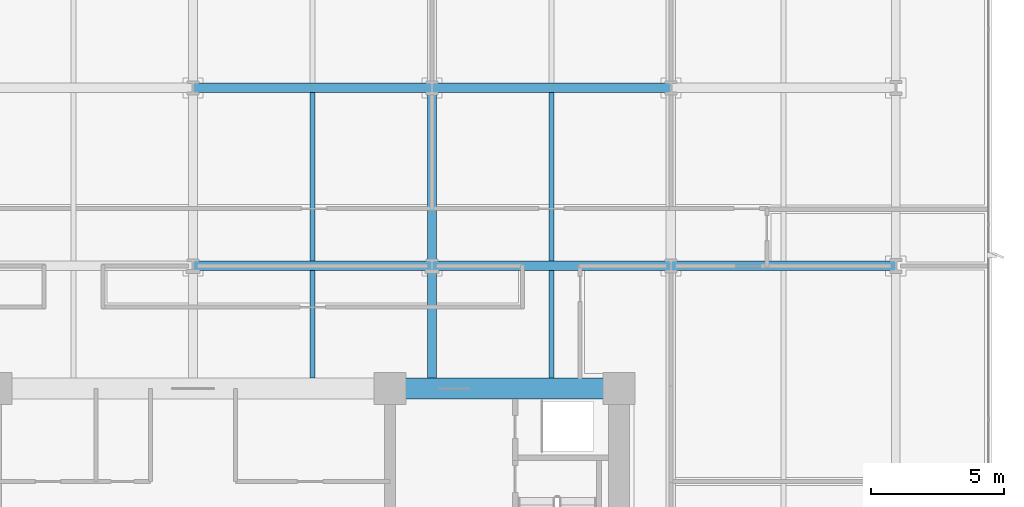
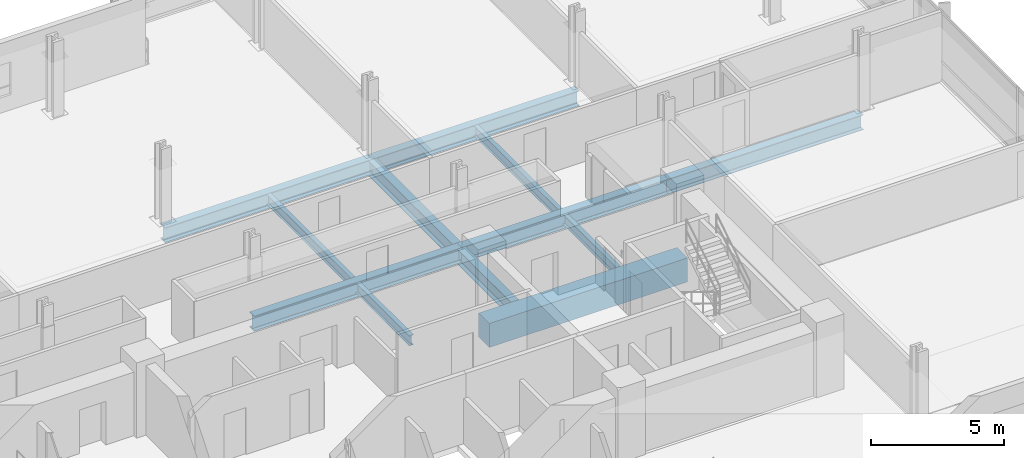
# One storey, part 7 of 20: 12 beams.
"""IFC4 building model written with IfcOpenShell, lengths in metres."""

from ifc_helpers import new_model, si_unit, direction, frame, origin, origin_2d, place, context, subcontext, project, spatial, rectangle, i_section, extrude, material, material_profile, profile_set, type_object, element, save


model = new_model("IFC4")

# Units and contexts
model_context = context("Model", 3, precision=1e-05, world=origin(), true_north=direction((0.0, 1.0)))
body_context = subcontext(model_context, "Body", "Model", "MODEL_VIEW")
ifc_project = project(units=[si_unit("LENGTHUNIT", "METRE"), si_unit("AREAUNIT", "SQUARE_METRE"), si_unit("VOLUMEUNIT", "CUBIC_METRE"), si_unit("PLANEANGLEUNIT", "RADIAN"), si_unit("MASSUNIT", "GRAM", prefix="KILO")], contexts=[model_context])

# Site, building, storey
site_placement = place(None, origin())
site = spatial("IfcSite", under=ifc_project, at=site_placement, CompositionType="ELEMENT")
building_placement = place(site_placement, origin())
building = spatial("IfcBuilding", under=site, at=building_placement, Name="Solmavex Isthmus Hotel", CompositionType="ELEMENT")
storey_placement = place(building_placement, frame((0.0, 0.0, 57.449951171875)))
storey = spatial("IfcBuildingStorey", under=building, at=storey_placement, Name="L15", CompositionType="ELEMENT", Elevation=57.449951171875)

# Beams
ifc_material_1 = material(Name="Steel ASTM A992 Grade 50", Category="steel")
ifc_material_profile_1 = material_profile(ifc_material_1, i_section(OverallWidth=0.354736328125, OverallDepth=0.695556640625, WebThickness=0.015380859375, FlangeThickness=0.02490234375, FilletRadius=0.017822265625, at=origin_2d()), Name="W27X146")
ifc_profile_set_1 = profile_set([ifc_material_profile_1], Name="Steel ASTM A992 Grade 50")
beam_type_1 = type_object("IfcBeamType", Name="BM-BG-W27X146", PredefinedType="BEAM", material=ifc_profile_set_1)
beam_1_placement = place(storey_placement, frame((0.0, 2.10009765625, -0.607666015625), z_axis=(1.0, 0.0, 0.0), x_axis=(0.0, 1.0, 0.0)))
element("IfcBeam", 1, at=beam_1_placement, inside=storey, type_object=beam_type_1, Name="Floor Girder L15-UG10", PredefinedType="BEAM", context=body_context, shape_type="SweptSolid", body=[
    extrude(i_section(OverallWidth=0.354736328125, OverallDepth=0.695556640625, WebThickness=0.015380859375, FlangeThickness=0.02490234375, FilletRadius=0.017822265625, at=origin_2d()), origin(), (0.0, 0.0, 1.0), 8.97607421875),
])
beam_2_placement = place(storey_placement, frame((8.97607421875, 2.10009765625, -0.607666015625), z_axis=(1.0, 0.0, 0.0), x_axis=(0.0, 1.0, 0.0)))
element("IfcBeam", 2, at=beam_2_placement, inside=storey, type_object=beam_type_1, Name="Floor Girder L15-UG11", PredefinedType="BEAM", context=body_context, shape_type="SweptSolid", body=[
    extrude(i_section(OverallWidth=0.354736328125, OverallDepth=0.695556640625, WebThickness=0.015380859375, FlangeThickness=0.02490234375, FilletRadius=0.017822265625, at=origin_2d()), origin(), (0.0, 0.0, 1.0), 8.975830078125),
])
beam_3_placement = place(storey_placement, frame((17.951904296875, 2.10009765625, -0.607666015625), z_axis=(1.0, 0.0, 0.0), x_axis=(0.0, 1.0, 0.0)))
element("IfcBeam", 3, at=beam_3_placement, inside=storey, type_object=beam_type_1, Name="Floor Girder L15-UG12", PredefinedType="BEAM", context=body_context, shape_type="SweptSolid", body=[
    extrude(i_section(OverallWidth=0.354736328125, OverallDepth=0.695556640625, WebThickness=0.015380859375, FlangeThickness=0.02490234375, FilletRadius=0.017822265625, at=origin_2d()), origin(), (0.0, 0.0, 1.0), 8.447998046875),
])
beam_4_placement = place(storey_placement, frame((0.0, 8.7880859375, -0.607666015625), z_axis=(1.0, 0.0, 0.0), x_axis=(0.0, 1.0, 0.0)))
element("IfcBeam", 4, at=beam_4_placement, inside=storey, type_object=beam_type_1, Name="Floor Girder L15-UG16", PredefinedType="BEAM", context=body_context, shape_type="SweptSolid", body=[
    extrude(i_section(OverallWidth=0.354736328125, OverallDepth=0.695556640625, WebThickness=0.015380859375, FlangeThickness=0.02490234375, FilletRadius=0.017822265625, at=origin_2d()), origin(), (0.0, 0.0, 1.0), 8.97607421875),
])
beam_5_placement = place(storey_placement, frame((8.97607421875, 8.7880859375, -0.607666015625), z_axis=(1.0, 0.0, 0.0), x_axis=(0.0, 1.0, 0.0)))
element("IfcBeam", 5, at=beam_5_placement, inside=storey, type_object=beam_type_1, Name="Floor Girder L15-UG17", PredefinedType="BEAM", context=body_context, shape_type="SweptSolid", body=[
    extrude(i_section(OverallWidth=0.354736328125, OverallDepth=0.695556640625, WebThickness=0.015380859375, FlangeThickness=0.02490234375, FilletRadius=0.017822265625, at=origin_2d()), origin(), (0.0, 0.0, 1.0), 8.975830078125),
])
beam_6_placement = place(storey_placement, frame((8.97607421875, -2.10009765625, -0.607666015625), z_axis=(0.0, 1.0, 0.0), x_axis=(-1.0, 0.0, 0.0)))
element("IfcBeam", 6, at=beam_6_placement, inside=storey, type_object=beam_type_1, Name="Floor Beam L15-VG40", PredefinedType="BEAM", context=body_context, shape_type="SweptSolid", body=[
    extrude(i_section(OverallWidth=0.354736328125, OverallDepth=0.695556640625, WebThickness=0.015380859375, FlangeThickness=0.02490234375, FilletRadius=0.017822265625, at=origin_2d()), origin(), (0.0, 0.0, 1.0), 4.022705078125),
])
beam_7_placement = place(storey_placement, frame((8.97607421875, 2.27734375, -0.607666015625), z_axis=(0.0, 1.0, 0.0), x_axis=(-1.0, 0.0, 0.0)))
element("IfcBeam", 7, at=beam_7_placement, inside=storey, type_object=beam_type_1, Name="Floor Beam L15-VG41", PredefinedType="BEAM", context=body_context, shape_type="SweptSolid", body=[
    extrude(i_section(OverallWidth=0.354736328125, OverallDepth=0.695556640625, WebThickness=0.015380859375, FlangeThickness=0.02490234375, FilletRadius=0.017822265625, at=origin_2d()), origin(), (0.0, 0.0, 1.0), 6.333251953125),
])
ifc_material_profile_2 = material_profile(ifc_material_1, i_section(OverallWidth=0.1904296875, OverallDepth=0.456787109375, WebThickness=0.009033203125, FlangeThickness=0.014404296875, FilletRadius=0.0126953125, at=origin_2d()), Name="W18X50")
ifc_profile_set_2 = profile_set([ifc_material_profile_2], Name="Steel ASTM A992 Grade 50")
beam_type_2 = type_object("IfcBeamType", Name="BM-BJ-W18X50", PredefinedType="JOIST", material=ifc_profile_set_2)
beam_8_placement = place(storey_placement, frame((4.488037109375, -2.10009765625, -0.48828125), z_axis=(0.0, 1.0, 0.0), x_axis=(-1.0, 0.0, 0.0)))
element("IfcBeam", 8, at=beam_8_placement, inside=storey, type_object=beam_type_2, Name="Secondary Floor Joist L15-J13", PredefinedType="JOIST", context=body_context, shape_type="SweptSolid", body=[
    extrude(i_section(OverallWidth=0.1904296875, OverallDepth=0.456787109375, WebThickness=0.009033203125, FlangeThickness=0.014404296875, FilletRadius=0.0126953125, at=origin_2d()), origin(), (0.0, 0.0, 1.0), 4.022705078125),
])
beam_9_placement = place(storey_placement, frame((4.488037109375, 2.27734375, -0.48828125), z_axis=(0.0, 1.0, 0.0), x_axis=(-1.0, 0.0, 0.0)))
element("IfcBeam", 9, at=beam_9_placement, inside=storey, type_object=beam_type_2, Name="Secondary Floor Joist L15-J14", PredefinedType="JOIST", context=body_context, shape_type="SweptSolid", body=[
    extrude(i_section(OverallWidth=0.1904296875, OverallDepth=0.456787109375, WebThickness=0.009033203125, FlangeThickness=0.014404296875, FilletRadius=0.0126953125, at=origin_2d()), origin(), (0.0, 0.0, 1.0), 6.333251953125),
])
beam_10_placement = place(storey_placement, frame((13.464111328125, -2.10009765625, -0.48828125), z_axis=(0.0, 1.0, 0.0), x_axis=(-1.0, 0.0, 0.0)))
element("IfcBeam", 10, at=beam_10_placement, inside=storey, type_object=beam_type_2, Name="Secondary Floor Joist L15-J17", PredefinedType="JOIST", context=body_context, shape_type="SweptSolid", body=[
    extrude(i_section(OverallWidth=0.1904296875, OverallDepth=0.456787109375, WebThickness=0.009033203125, FlangeThickness=0.014404296875, FilletRadius=0.0126953125, at=origin_2d()), origin(), (0.0, 0.0, 1.0), 4.022705078125),
])
beam_11_placement = place(storey_placement, frame((13.464111328125, 2.27734375, -0.48828125), z_axis=(0.0, 1.0, 0.0), x_axis=(-1.0, 0.0, 0.0)))
element("IfcBeam", 11, at=beam_11_placement, inside=storey, type_object=beam_type_2, Name="Secondary Floor Joist L15-J18", PredefinedType="JOIST", context=body_context, shape_type="SweptSolid", body=[
    extrude(i_section(OverallWidth=0.1904296875, OverallDepth=0.456787109375, WebThickness=0.009033203125, FlangeThickness=0.014404296875, FilletRadius=0.0126953125, at=origin_2d()), origin(), (0.0, 0.0, 1.0), 6.333251953125),
])
ifc_material_2 = material(Name="Concrete C70/85", Category="concrete")
ifc_material_profile_3 = material_profile(ifc_material_2, rectangle(XDim=0.800048828125, YDim=1.10009765625, at=origin_2d()), Name="RC800X1100")
ifc_profile_set_3 = profile_set([ifc_material_profile_3], Name="Concrete C70/85")
beam_type_3 = type_object("IfcBeamType", Name="BM-CB-800X1100", PredefinedType="BEAM", material=ifc_profile_set_3)
beam_12_placement = place(storey_placement, frame((7.39990234375, -2.5, -0.81005859375), z_axis=(1.0, 0.0, 0.0), x_axis=(0.0, 1.0, 0.0)))
element("IfcBeam", 12, at=beam_12_placement, inside=storey, type_object=beam_type_3, Name="Core Coupling Beam L15-CB6", PredefinedType="BEAM", context=body_context, shape_type="SweptSolid", body=[
    extrude(rectangle(XDim=0.800048828125, YDim=1.10009765625, at=origin_2d()), origin(), (0.0, 0.0, 1.0), 8.60009765625),
])

save(model, "model.ifc")
